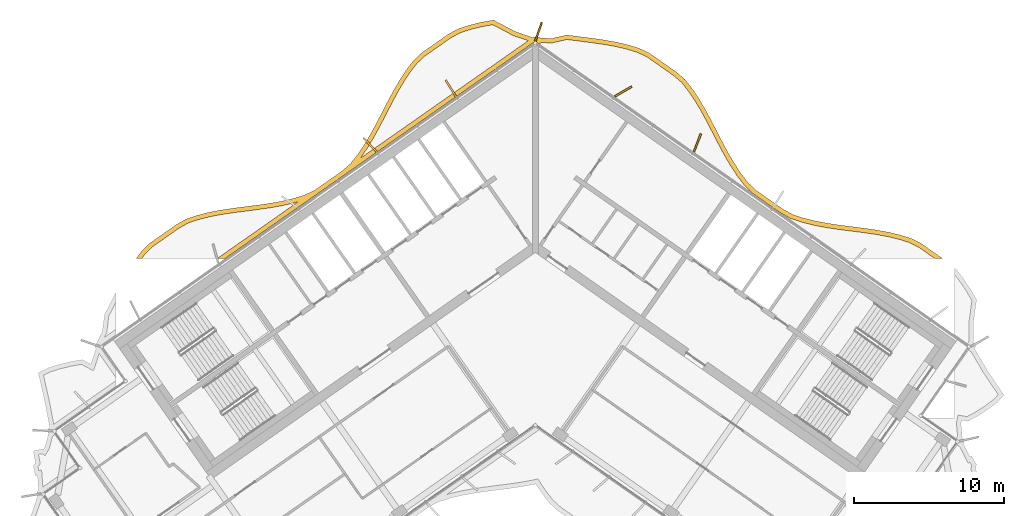
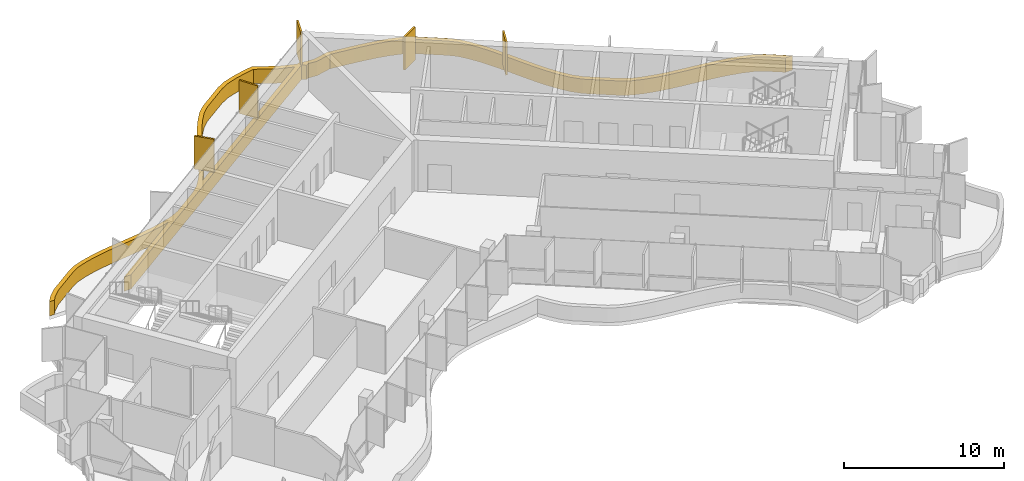
# One storey, part 17 of 17: 6 shading devices.
"""IFC4 building model written with IfcOpenShell, lengths in metres."""

from ifc_helpers import new_model, si_unit, direction, frame, origin, origin_2d, place, context, subcontext, project, spatial, polyline, rectangle, outline, extrude, material, layer, layer_set, type_object, element, save


model = new_model("IFC4")

# Units and contexts
model_context = context("Model", 3, precision=1e-05, world=origin(), true_north=direction((0.0, 1.0)))
body_context = subcontext(model_context, "Body", "Model", "MODEL_VIEW")
ifc_project = project(units=[si_unit("LENGTHUNIT", "METRE"), si_unit("AREAUNIT", "SQUARE_METRE"), si_unit("VOLUMEUNIT", "CUBIC_METRE"), si_unit("PLANEANGLEUNIT", "RADIAN"), si_unit("MASSUNIT", "GRAM", prefix="KILO")], contexts=[model_context])

# Site, building, storey
site_placement = place(None, origin())
site = spatial("IfcSite", under=ifc_project, at=site_placement, CompositionType="ELEMENT")
building_placement = place(site_placement, origin())
building = spatial("IfcBuilding", under=site, at=building_placement, Name="Tel Ilan Convention Tower", CompositionType="ELEMENT")
storey_placement = place(building_placement, frame((0.0, 0.0, 287.800048828125)))
storey = spatial("IfcBuildingStorey", under=building, at=storey_placement, Name="L68", CompositionType="ELEMENT", Elevation=287.800048828125)

# Shading devices
ifc_material_1 = material(Name="Aluminium, bronze anodised", Category="aluminium")
ifc_layer_1 = layer(ifc_material_1, 0.1201171875)
ifc_layer_set_1 = layer_set([ifc_layer_1], Name="FIN BRONZE 1300x120")
shading_device_type_1 = type_object("IfcShadingDeviceType", Name="FIN BRONZE 1300x120", PredefinedType="USERDEFINED", material=ifc_layer_set_1)
for number, where, z_axis, x_axis, name in (
    (1, (10.7724609375, 6.062255859375, 1.099853515625), (0.0, 0.0, 1.0), (0.360177724803, 0.932883704733, 0.0), "FIN"),
    (2, (5.842529296875, 9.476806640625, 1.099853515625), (0.0, 0.0, 1.0), (0.866025403784, 0.5, 0.0), "FIN"),
    (3, (0.21630859375, 13.450439453125, 1.099853515625), (0.0, 0.0, 1.0), (0.332892691468, 0.942964716183, 0.0), "FIN"),
    (4, (-5.61328125, 9.683349609375, 1.099853515625), (0.0, 0.0, 1.0), (-0.533204432798, 0.845986425922, 0.0), "FIN"),
    (5, (-10.981201171875, 5.924072265625, 1.099853515625), (0.0, 0.0, 1.0), (-0.686241637865, 0.727373641577, 0.0), "FIN"),
):
    element("IfcShadingDevice", number, at=place(storey_placement, frame(where, z_axis=z_axis, x_axis=x_axis)), inside=storey, type_object=shading_device_type_1, Name=name, ObjectType="FIN", PredefinedType="USERDEFINED", context=body_context, shape_type="SweptSolid", body=[
        extrude(rectangle(XDim=1.300048828125, YDim=0.1201171875, at=origin_2d()), origin(), (0.0, 0.0, 1.0), 2.52001953125),
    ])
ifc_material_2 = material(Name="Aluminium, bronze anodised", Category="aluminium")
ifc_layer_2 = layer(ifc_material_2, 0.300048828125)
ifc_layer_set_2 = layer_set([ifc_layer_2], Name="LOUVRE BAND 300x1100")
shading_device_type_2 = type_object("IfcShadingDeviceType", Name="LOUVRE BAND 300x1100", PredefinedType="USERDEFINED", material=ifc_layer_set_2)
shading_device_placement = place(storey_placement, origin())
element("IfcShadingDevice", 6, at=shading_device_placement, inside=storey, type_object=shading_device_type_2, Name="LOUVRE BAND 51.02", ObjectType="LOUVRE", PredefinedType="USERDEFINED", context=body_context, shape_type="SweptSolid", body=[
    extrude(outline(polyline([(-26.1787109375, -1.1572265625), (-26.535888671875, -1.631591796875), (-26.160400390625, -1.631591796875), (-25.951416015625, -1.35400390625), (-25.457275390625, -0.856689453125), (-23.680908203125, 0.38720703125), (-23.075439453125, 0.7314453125), (-22.38525390625, 0.962158203125), (-21.640625, 1.14990234375), (-20.86181640625, 1.298828125), (-20.0576171875, 1.420166015625), (-18.409423828125, 1.63232421875), (-17.585205078125, 1.750732421875), (-16.773193359375, 1.89599609375), (-15.982666015625, 2.081298828125), (-15.75634765625, 2.151611328125), (-21.159423828125, -1.631591796875), (-20.63623046875, -1.631591796875), (0.0, 12.818115234375), (0.261474609375, 12.635009765625), (0.4140625, 12.741943359375), (1.040771484375, 12.687744140625), (2.10400390625, 12.9296875), (3.699462890625, 12.72509765625), (4.510009765625, 12.60986328125), (5.2978515625, 12.47119140625), (6.054443359375, 12.297119140625), (6.765625, 12.080078125), (7.40185546875, 11.785888671875), (9.17822265625, 10.5419921875), (9.708740234375, 10.0908203125), (10.16162109375, 9.521240234375), (10.5927734375, 8.885498046875), (10.9990234375, 8.204833984375), (11.38818359375, 7.49072265625), (12.151123046875, 6.014404296875), (12.54443359375, 5.2802734375), (12.958740234375, 4.567138671875), (13.403076171875, 3.8876953125), (13.891357421875, 3.245849609375), (14.459716796875, 2.693359375), (16.302978515625, 1.40283203125), (16.991455078125, 1.02587890625), (17.759521484375, 0.773681640625), (18.544921875, 0.579345703125), (19.353271484375, 0.42724609375), (20.176025390625, 0.3046875), (21.826416015625, 0.092529296875), (22.634765625, -0.025146484375), (23.4189453125, -0.167724609375), (24.1708984375, -0.34716796875), (24.873291015625, -0.569580078125), (25.496826171875, -0.88427734375), (26.56396484375, -1.631591796875), (27.087158203125, -1.631591796875), (25.6513671875, -0.626220703125), (24.987060546875, -0.290771484375), (24.2509765625, -0.057861328125), (23.480712890625, 0.1259765625), (22.68310546875, 0.27099609375), (21.8671875, 0.3896484375), (20.21728515625, 0.601806640625), (19.4033203125, 0.72314453125), (18.60888671875, 0.87255859375), (17.842529296875, 1.062255859375), (17.111328125, 1.30224609375), (16.46142578125, 1.657958984375), (14.6513671875, 2.92529296875), (14.116455078125, 3.4453125), (13.648193359375, 4.060791015625), (13.214111328125, 4.724609375), (12.806396484375, 5.426513671875), (12.416748046875, 6.154052734375), (11.653076171875, 7.631591796875), (11.259521484375, 8.353515625), (10.845947265625, 9.046875), (10.403564453125, 9.69921875), (9.925537109375, 10.300537109375), (9.36181640625, 10.77978515625), (7.552001953125, 12.047119140625), (6.872802734375, 12.361083984375), (6.132080078125, 12.587158203125), (5.357666015625, 12.765380859375), (4.55712890625, 12.90625), (3.739501953125, 13.0224609375), (2.08935546875, 13.234130859375), (1.02001953125, 12.99072265625), (0.168701171875, 13.059326171875), (0.11474609375, 13.09521484375), (0.0, 13.1181640625), (-0.11474609375, 13.09521484375), (-0.168701171875, 13.059326171875), (-1.357666015625, 13.472900390625), (-2.785888671875, 14.228515625), (-3.5830078125, 14.083251953125), (-4.3515625, 13.896484375), (-5.0849609375, 13.66015625), (-5.7421875, 13.314453125), (-7.552001953125, 12.047119140625), (-8.09423828125, 11.53759765625), (-8.56494140625, 10.925537109375), (-9.001220703125, 10.264404296875), (-9.410400390625, 9.564697265625), (-9.801025390625, 8.838623046875), (-10.564453125, 7.36083984375), (-10.95703125, 6.63720703125), (-11.369140625, 5.94189453125), (-11.809326171875, 5.28662109375), (-12.284912109375, 4.681640625), (-12.841552734375, 4.192626953125), (-14.6513671875, 2.92529296875), (-15.3232421875, 2.6005859375), (-16.0615234375, 2.370849609375), (-16.833984375, 2.18994140625), (-17.6328125, 2.046875), (-18.44970703125, 1.9296875), (-20.099365234375, 1.71728515625), (-20.91259765625, 1.594482421875), (-21.705322265625, 1.44287109375), (-22.4697265625, 1.250244140625), (-23.1982421875, 1.0068359375), (-23.84130859375, 0.64111328125), (-25.6513671875, -0.626220703125), (-26.1787109375, -1.1572265625)]), holes=[polyline([(-11.609619140625, 5.05517578125), (-11.115234375, 5.78173828125), (-10.696044921875, 6.4892578125), (-10.29931640625, 7.220458984375), (-9.535400390625, 8.69873046875), (-9.148681640625, 9.41796875), (-8.746337890625, 10.106201171875), (-8.320556640625, 10.751220703125), (-7.871337890625, 11.33544921875), (-7.3623046875, 11.813720703125), (-5.585693359375, 13.0576171875), (-4.96826171875, 13.382568359375), (-4.27001953125, 13.607666015625), (-3.520751953125, 13.78955078125), (-2.834228515625, 13.914794921875), (-1.477294921875, 13.19677734375), (-0.4755859375, 12.851318359375), (-11.609619140625, 5.05517578125)])]), origin(), (0.0, 0.0, 1.0), 1.099853515625),
])

save(model, "model.ifc")
